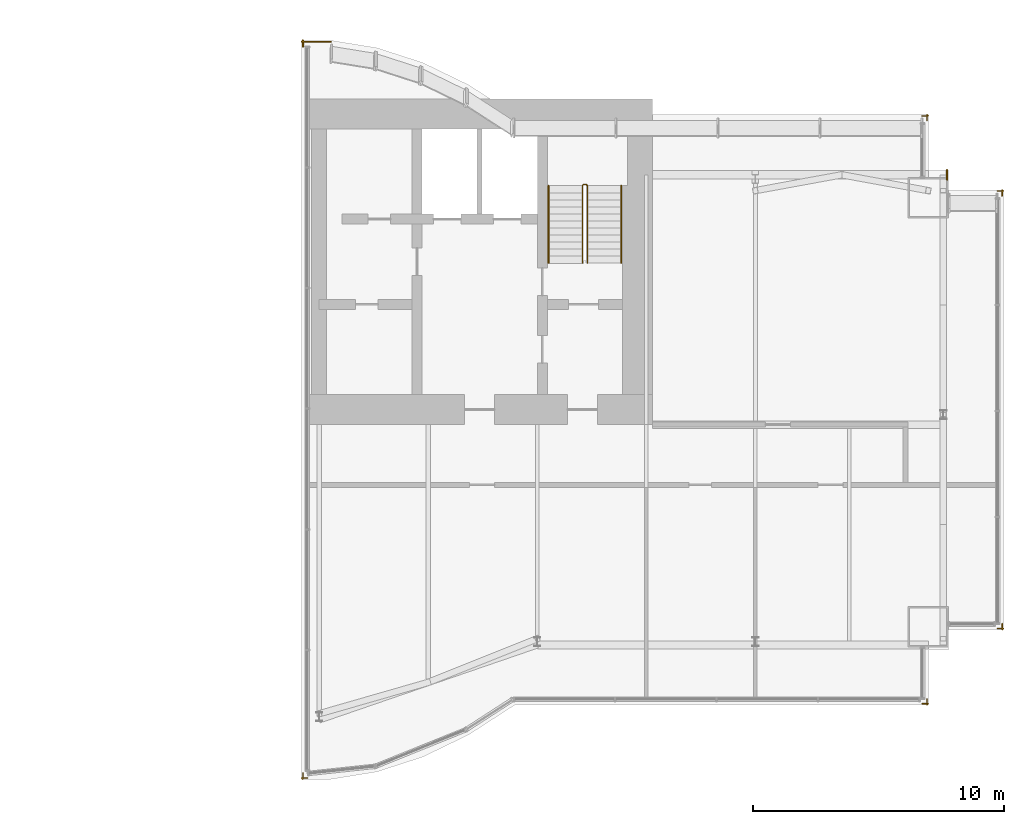
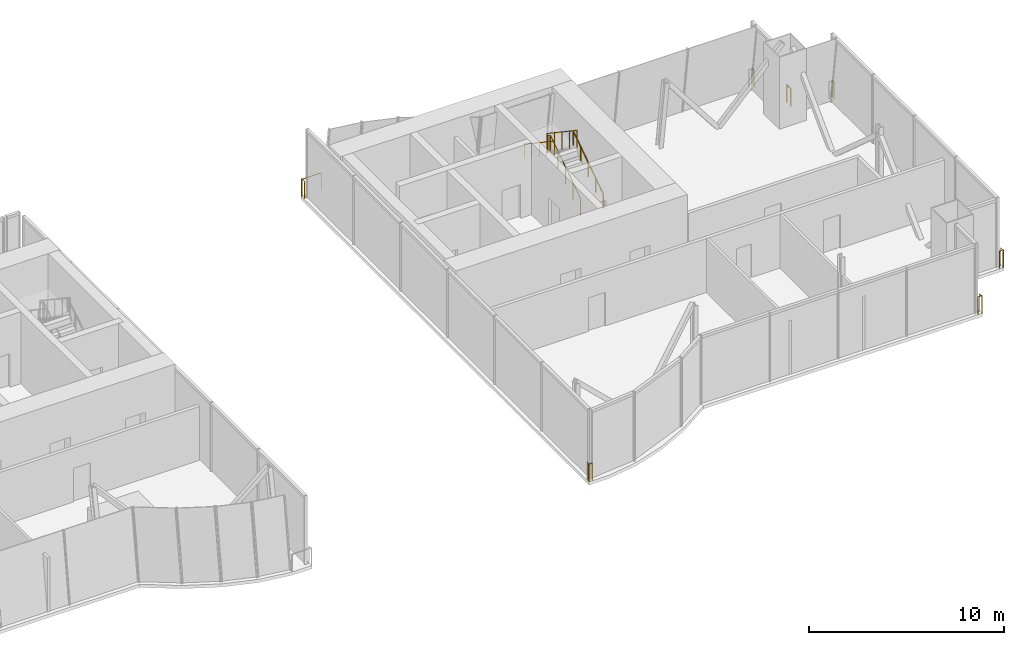
# One storey, part 13 of 14: 10 railings.
"""IFC4 building model written with IfcOpenShell, lengths in metres."""

from ifc_helpers import new_model, si_unit, direction, frame, origin, origin_2d, place, context, subcontext, project, spatial, circle, extrude, material, type_object, element, save


model = new_model("IFC4")

# Units and contexts
model_context = context("Model", 3, precision=1e-05, world=origin(), true_north=direction((0.0, 1.0)))
body_context = subcontext(model_context, "Body", "Model", "MODEL_VIEW")
ifc_project = project(units=[si_unit("LENGTHUNIT", "METRE"), si_unit("AREAUNIT", "SQUARE_METRE"), si_unit("VOLUMEUNIT", "CUBIC_METRE"), si_unit("PLANEANGLEUNIT", "RADIAN"), si_unit("MASSUNIT", "GRAM", prefix="KILO")], contexts=[model_context])

# Site, building, storey
site_placement = place(None, origin())
site = spatial("IfcSite", under=ifc_project, at=site_placement, CompositionType="ELEMENT")
building_placement = place(site_placement, origin())
building = spatial("IfcBuilding", under=site, at=building_placement, Name="Bicima Exchange Tower", CompositionType="ELEMENT")
storey_placement = place(building_placement, frame((0.0, 0.0, 352.39990234375)))
storey = spatial("IfcBuildingStorey", under=building, at=storey_placement, Name="L79", CompositionType="ELEMENT", Elevation=352.39990234375)

# Railings
ifc_material_1 = material(Name="Stainless steel and bonded safety glass", Category="steel")
railing_type_1 = type_object("IfcRailingType", Name="Edge guard 1100", PredefinedType="GUARDRAIL", material=ifc_material_1)
railing_1_placement = place(storey_placement, frame((32.949951171875, -23.944091796875, 0.0)))
element("IfcRailing", 1, at=railing_1_placement, inside=storey, type_object=railing_type_1, Name="Edge guard L79 417", PredefinedType="GUARDRAIL", context=body_context, shape_type="SweptSolid", body=[
    extrude(circle(Radius=0.02392578125, at=origin_2d()), frame((0.0, 0.0, 1.076171875), z_axis=(0.0, -1.0, 0.0), x_axis=(1.0, 0.0, 0.0)), (0.0, 0.0, 1.0), 0.243896484375),
    extrude(circle(Radius=0.02392578125, at=origin_2d()), frame((0.0, -0.243896484375, 1.076171875), z_axis=(0.707106781187, 0.707106781187, 0.0), x_axis=(-0.707106781187, 0.707106781187, 0.0)), (0.0, 0.0, 1.0), 0.07080078125),
    extrude(circle(Radius=0.02392578125, at=origin_2d()), frame((0.050048828125, -0.19384765625, 1.076171875), z_axis=(-1.0, 0.0, 0.0), x_axis=(0.0, -1.0, 0.0)), (0.0, 0.0, 1.0), 0.25),
    extrude(circle(Radius=0.02099609375, at=origin_2d()), origin(), (0.0, 0.0, 1.0), 1.052001953125),
    extrude(circle(Radius=0.02099609375, at=origin_2d()), frame((0.0, -0.243896484375, 0.0)), (0.0, 0.0, 1.0), 1.052001953125),
    extrude(circle(Radius=0.02099609375, at=origin_2d()), frame((0.050048828125, -0.19384765625, 0.0)), (0.0, 0.0, 1.0), 1.052001953125),
    extrude(circle(Radius=0.02099609375, at=origin_2d()), frame((-0.199951171875, -0.19384765625, 0.0)), (0.0, 0.0, 1.0), 1.052001953125),
])
railing_2_placement = place(storey_placement, frame((8.23291015625, -27.10107421875, 0.0)))
element("IfcRailing", 2, at=railing_2_placement, inside=storey, type_object=railing_type_1, Name="Edge guard L79 418", PredefinedType="GUARDRAIL", context=body_context, shape_type="SweptSolid", body=[
    extrude(circle(Radius=0.02392578125, at=origin_2d()), frame((0.0, 0.0, 1.076171875), z_axis=(-1.0, 0.0, 0.0), x_axis=(0.0, -1.0, 0.0)), (0.0, 0.0, 1.0), 0.23291015625),
    extrude(circle(Radius=0.02392578125, at=origin_2d()), frame((-0.23291015625, 0.0, 1.076171875), z_axis=(0.708833529934, -0.705375805398, 0.0), x_axis=(0.705375805398, 0.708833529934, 0.0)), (0.0, 0.0, 1.0), 0.070556640625),
    extrude(circle(Radius=0.02392578125, at=origin_2d()), frame((-0.182861328125, -0.0498046875, 1.076171875), z_axis=(0.0, 1.0, 0.0), x_axis=(-1.0, 0.0, 0.0)), (0.0, 0.0, 1.0), 0.25),
    extrude(circle(Radius=0.02099609375, at=origin_2d()), origin(), (0.0, 0.0, 1.0), 1.052001953125),
    extrude(circle(Radius=0.02099609375, at=origin_2d()), frame((-0.23291015625, 0.0, 0.0)), (0.0, 0.0, 1.0), 1.052001953125),
    extrude(circle(Radius=0.02099609375, at=origin_2d()), frame((-0.182861328125, -0.0498046875, 0.0)), (0.0, 0.0, 1.0), 1.052001953125),
    extrude(circle(Radius=0.02099609375, at=origin_2d()), frame((-0.182861328125, 0.2001953125, 0.0)), (0.0, 0.0, 1.0), 1.052001953125),
])
railing_3_placement = place(storey_placement, frame((8.050048828125, 2.0810546875, 0.0)))
element("IfcRailing", 3, at=railing_3_placement, inside=storey, type_object=railing_type_1, Name="Edge guard L79 419", PredefinedType="GUARDRAIL", context=body_context, shape_type="SweptSolid", body=[
    extrude(circle(Radius=0.02392578125, at=origin_2d()), frame((0.0, 0.0, 1.076171875), z_axis=(0.0, 1.0, 0.0), x_axis=(-1.0, 0.0, 0.0)), (0.0, 0.0, 1.0), 0.25),
    extrude(circle(Radius=0.02392578125, at=origin_2d()), frame((0.0, 0.25, 1.076171875), z_axis=(-0.700242148196, -0.713905409624, 0.0), x_axis=(0.713905409624, -0.700242148196, 0.0)), (0.0, 0.0, 1.0), 0.071533203125),
    extrude(circle(Radius=0.02392578125, at=origin_2d()), frame((-0.050048828125, 0.198974609375, 1.076171875), z_axis=(1.0, 0.0, 0.0), x_axis=(0.0, 1.0, 0.0)), (0.0, 0.0, 1.0), 1.1669921875),
    extrude(circle(Radius=0.02099609375, at=origin_2d()), origin(), (0.0, 0.0, 1.0), 1.052001953125),
    extrude(circle(Radius=0.02099609375, at=origin_2d()), frame((0.0, 0.25, 0.0)), (0.0, 0.0, 1.0), 1.052001953125),
    extrude(circle(Radius=0.02099609375, at=origin_2d()), frame((-0.050048828125, 0.198974609375, 0.0)), (0.0, 0.0, 1.0), 1.052001953125),
    extrude(circle(Radius=0.02099609375, at=origin_2d()), frame((1.116943359375, 0.198974609375, 0.0)), (0.0, 0.0, 1.0), 1.052001953125),
])
railing_4_placement = place(storey_placement, frame((32.75, -0.681884765625, 0.0)))
element("IfcRailing", 4, at=railing_4_placement, inside=storey, type_object=railing_type_1, Name="Edge guard L79 420", PredefinedType="GUARDRAIL", context=body_context, shape_type="SweptSolid", body=[
    extrude(circle(Radius=0.02392578125, at=origin_2d()), frame((0.0, 0.0, 1.076171875), z_axis=(1.0, 0.0, 0.0), x_axis=(0.0, 1.0, 0.0)), (0.0, 0.0, 1.0), 0.25),
    extrude(circle(Radius=0.02392578125, at=origin_2d()), frame((0.25, 0.0, 1.076171875), z_axis=(-0.708833529934, 0.705375805398, 0.0), x_axis=(-0.705375805398, -0.708833529934, 0.0)), (0.0, 0.0, 1.0), 0.070556640625),
    extrude(circle(Radius=0.02392578125, at=origin_2d()), frame((0.199951171875, 0.0498046875, 1.076171875), z_axis=(0.0, -1.0, 0.0), x_axis=(1.0, 0.0, 0.0)), (0.0, 0.0, 1.0), 0.244873046875),
    extrude(circle(Radius=0.02099609375, at=origin_2d()), origin(), (0.0, 0.0, 1.0), 1.052001953125),
    extrude(circle(Radius=0.02099609375, at=origin_2d()), frame((0.25, 0.0, 0.0)), (0.0, 0.0, 1.0), 1.052001953125),
    extrude(circle(Radius=0.02099609375, at=origin_2d()), frame((0.199951171875, 0.0498046875, 0.0)), (0.0, 0.0, 1.0), 1.052001953125),
    extrude(circle(Radius=0.02099609375, at=origin_2d()), frame((0.199951171875, -0.195068359375, 0.0)), (0.0, 0.0, 1.0), 1.052001953125),
])
railing_5_placement = place(storey_placement, frame((33.75, -2.83203125, 0.0)))
element("IfcRailing", 5, at=railing_5_placement, inside=storey, type_object=railing_type_1, Name="Edge guard L79 421", PredefinedType="GUARDRAIL", context=body_context, shape_type="SweptSolid", body=[
    extrude(circle(Radius=0.02392578125, at=origin_2d()), frame((0.0, 0.0, 1.076171875), z_axis=(0.0, -1.0, 0.0), x_axis=(1.0, 0.0, 0.0)), (0.0, 0.0, 1.0), 0.39990234375),
    extrude(circle(Radius=0.02099609375, at=origin_2d()), origin(), (0.0, 0.0, 1.0), 1.052001953125),
    extrude(circle(Radius=0.02099609375, at=origin_2d()), frame((0.0, -0.39990234375, 0.0)), (0.0, 0.0, 1.0), 1.052001953125),
])
railing_6_placement = place(storey_placement, frame((35.756103515625, -3.681884765625, 0.0)))
element("IfcRailing", 6, at=railing_6_placement, inside=storey, type_object=railing_type_1, Name="Edge guard L79 422", PredefinedType="GUARDRAIL", context=body_context, shape_type="SweptSolid", body=[
    extrude(circle(Radius=0.02392578125, at=origin_2d()), frame((0.0, 0.0, 1.076171875), z_axis=(1.0, 0.0, 0.0), x_axis=(0.0, 1.0, 0.0)), (0.0, 0.0, 1.0), 0.243896484375),
    extrude(circle(Radius=0.02392578125, at=origin_2d()), frame((0.243896484375, 0.0, 1.076171875), z_axis=(-0.708833529934, 0.705375805398, 0.0), x_axis=(-0.705375805398, -0.708833529934, 0.0)), (0.0, 0.0, 1.0), 0.070556640625),
    extrude(circle(Radius=0.02392578125, at=origin_2d()), frame((0.19384765625, 0.0498046875, 1.076171875), z_axis=(0.0, -1.0, 0.0), x_axis=(1.0, 0.0, 0.0)), (0.0, 0.0, 1.0), 0.247802734375),
    extrude(circle(Radius=0.02099609375, at=origin_2d()), origin(), (0.0, 0.0, 1.0), 1.052001953125),
    extrude(circle(Radius=0.02099609375, at=origin_2d()), frame((0.243896484375, 0.0, 0.0)), (0.0, 0.0, 1.0), 1.052001953125),
    extrude(circle(Radius=0.02099609375, at=origin_2d()), frame((0.19384765625, 0.0498046875, 0.0)), (0.0, 0.0, 1.0), 1.052001953125),
    extrude(circle(Radius=0.02099609375, at=origin_2d()), frame((0.19384765625, -0.197998046875, 0.0)), (0.0, 0.0, 1.0), 1.052001953125),
])
railing_7_placement = place(storey_placement, frame((35.949951171875, -20.94091796875, 0.0)))
element("IfcRailing", 7, at=railing_7_placement, inside=storey, type_object=railing_type_1, Name="Edge guard L79 423", PredefinedType="GUARDRAIL", context=body_context, shape_type="SweptSolid", body=[
    extrude(circle(Radius=0.02392578125, at=origin_2d()), frame((0.0, 0.0, 1.076171875), z_axis=(0.0, -1.0, 0.0), x_axis=(1.0, 0.0, 0.0)), (0.0, 0.0, 1.0), 0.2470703125),
    extrude(circle(Radius=0.02392578125, at=origin_2d()), frame((0.0, -0.2470703125, 1.076171875), z_axis=(0.707106781187, 0.707106781187, 0.0), x_axis=(-0.707106781187, 0.707106781187, 0.0)), (0.0, 0.0, 1.0), 0.07080078125),
    extrude(circle(Radius=0.02392578125, at=origin_2d()), frame((0.050048828125, -0.197021484375, 1.076171875), z_axis=(-1.0, 0.0, 0.0), x_axis=(0.0, -1.0, 0.0)), (0.0, 0.0, 1.0), 0.243896484375),
    extrude(circle(Radius=0.02099609375, at=origin_2d()), origin(), (0.0, 0.0, 1.0), 1.052001953125),
    extrude(circle(Radius=0.02099609375, at=origin_2d()), frame((0.0, -0.2470703125, 0.0)), (0.0, 0.0, 1.0), 1.052001953125),
    extrude(circle(Radius=0.02099609375, at=origin_2d()), frame((0.050048828125, -0.197021484375, 0.0)), (0.0, 0.0, 1.0), 1.052001953125),
    extrude(circle(Radius=0.02099609375, at=origin_2d()), frame((-0.19384765625, -0.197021484375, 0.0)), (0.0, 0.0, 1.0), 1.052001953125),
])
ifc_material_2 = material(Name="Stainless steel", Category="steel")
railing_type_2 = type_object("IfcRailingType", Name="Stair guard 1100", PredefinedType="GUARDRAIL", material=ifc_material_2)
railing_8_placement = place(storey_placement, frame((19.39990234375, -6.550048828125, 0.1875)))
element("IfcRailing", 8, at=railing_8_placement, inside=storey, type_object=railing_type_2, Name="L79 ST-E stair guard 1", PredefinedType="GUARDRAIL", context=body_context, shape_type="SweptSolid", body=[
    extrude(circle(Radius=0.02392578125, at=origin_2d()), frame((0.0, 0.0, 1.076171875), z_axis=(0.0, 0.830913701846, 0.55640131208), x_axis=(-1.0, 0.0, 0.0)), (0.0, 0.0, 1.0), 3.706787109375),
    extrude(circle(Radius=0.02392578125, at=origin_2d()), frame((0.0, 3.080078125, 3.138671875), z_axis=(-0.705375805398, 0.708833529934, 0.0), x_axis=(-0.708833529934, -0.705375805398, 0.0)), (0.0, 0.0, 1.0), 0.070556640625),
    extrude(circle(Radius=0.02392578125, at=origin_2d()), frame((-0.0498046875, 3.130126953125, 3.138671875), z_axis=(-1.0, 0.0, 0.0), x_axis=(0.0, -1.0, 0.0)), (0.0, 0.0, 1.0), 0.10009765625),
    extrude(circle(Radius=0.02392578125, at=origin_2d()), frame((-0.14990234375, 3.130126953125, 3.138671875), z_axis=(-0.249726431254, -0.249726431254, 0.935560483917), x_axis=(0.707106781187, -0.707106781187, 0.0)), (0.0, 0.0, 1.0), 0.200439453125),
    extrude(circle(Radius=0.02392578125, at=origin_2d()), frame((-0.199951171875, 3.080078125, 3.326171875), z_axis=(0.0, -0.830913701846, 0.55640131208), x_axis=(1.0, 0.0, 0.0)), (0.0, 0.0, 1.0), 3.706787109375),
    extrude(circle(Radius=0.02099609375, at=origin_2d()), origin(), (0.0, 0.0, 1.0), 1.052001953125),
    extrude(circle(Radius=0.02099609375, at=origin_2d()), frame((0.0, 0.77001953125, 0.515625)), (0.0, 0.0, 1.0), 1.052001953125),
    extrude(circle(Radius=0.02099609375, at=origin_2d()), frame((0.0, 1.5400390625, 1.03125)), (0.0, 0.0, 1.0), 1.052001953125),
    extrude(circle(Radius=0.02099609375, at=origin_2d()), frame((0.0, 2.31005859375, 1.546875)), (0.0, 0.0, 1.0), 1.052001953125),
    extrude(circle(Radius=0.02099609375, at=origin_2d()), frame((0.0, 3.080078125, 2.0625)), (0.0, 0.0, 1.0), 1.052001953125),
    extrude(circle(Radius=0.02099609375, at=origin_2d()), frame((-0.0498046875, 3.130126953125, 2.0625)), (0.0, 0.0, 1.0), 1.052001953125),
    extrude(circle(Radius=0.02099609375, at=origin_2d()), frame((-0.14990234375, 3.130126953125, 2.0625)), (0.0, 0.0, 1.0), 1.052001953125),
    extrude(circle(Radius=0.02099609375, at=origin_2d()), frame((-0.199951171875, 3.080078125, 2.25)), (0.0, 0.0, 1.0), 1.052001953125),
    extrude(circle(Radius=0.02099609375, at=origin_2d()), frame((-0.199951171875, 2.31005859375, 2.765625)), (0.0, 0.0, 1.0), 1.052001953125),
    extrude(circle(Radius=0.02099609375, at=origin_2d()), frame((-0.199951171875, 1.5400390625, 3.28125)), (0.0, 0.0, 1.0), 1.052001953125),
    extrude(circle(Radius=0.02099609375, at=origin_2d()), frame((-0.199951171875, 0.77001953125, 3.796875)), (0.0, 0.0, 1.0), 1.052001953125),
    extrude(circle(Radius=0.02099609375, at=origin_2d()), frame((-0.199951171875, 0.0, 4.3125)), (0.0, 0.0, 1.0), 1.052001953125),
])
railing_type_3 = type_object("IfcRailingType", Name="Stair handrail 900", PredefinedType="HANDRAIL", material=ifc_material_2)
railing_9_placement = place(storey_placement, frame((20.75, -6.550048828125, 0.1875)))
element("IfcRailing", 9, at=railing_9_placement, inside=storey, type_object=railing_type_3, Name="L79 ST-E stair handrail 1", PredefinedType="HANDRAIL", context=body_context, shape_type="SweptSolid", body=[
    extrude(circle(Radius=0.02392578125, at=origin_2d()), frame((0.0, 0.0, 0.8759765625), z_axis=(0.0, 0.830913701846, 0.55640131208), x_axis=(-1.0, 0.0, 0.0)), (0.0, 0.0, 1.0), 3.706787109375),
    extrude(circle(Radius=0.02099609375, at=origin_2d()), origin(), (0.0, 0.0, 1.0), 0.851806640625),
    extrude(circle(Radius=0.02099609375, at=origin_2d()), frame((0.0, 0.77001953125, 0.515625)), (0.0, 0.0, 1.0), 0.851806640625),
    extrude(circle(Radius=0.02099609375, at=origin_2d()), frame((0.0, 1.5400390625, 1.03125)), (0.0, 0.0, 1.0), 0.851806640625),
    extrude(circle(Radius=0.02099609375, at=origin_2d()), frame((0.0, 2.31005859375, 1.546875)), (0.0, 0.0, 1.0), 0.851806640625),
    extrude(circle(Radius=0.02099609375, at=origin_2d()), frame((0.0, 3.080078125, 2.0625)), (0.0, 0.0, 1.0), 0.851806640625),
])
railing_10_placement = place(storey_placement, frame((17.85009765625, -3.469970703125, 2.4375)))
element("IfcRailing", 10, at=railing_10_placement, inside=storey, type_object=railing_type_3, Name="L79 ST-E stair handrail 2", PredefinedType="HANDRAIL", context=body_context, shape_type="SweptSolid", body=[
    extrude(circle(Radius=0.02392578125, at=origin_2d()), frame((0.0, 0.0, 0.8759765625), z_axis=(0.0, -0.830913701846, 0.55640131208), x_axis=(1.0, 0.0, 0.0)), (0.0, 0.0, 1.0), 3.706787109375),
    extrude(circle(Radius=0.02099609375, at=origin_2d()), origin(), (0.0, 0.0, 1.0), 0.851806640625),
    extrude(circle(Radius=0.02099609375, at=origin_2d()), frame((0.0, -0.77001953125, 0.515625)), (0.0, 0.0, 1.0), 0.851806640625),
    extrude(circle(Radius=0.02099609375, at=origin_2d()), frame((0.0, -1.5400390625, 1.03125)), (0.0, 0.0, 1.0), 0.851806640625),
    extrude(circle(Radius=0.02099609375, at=origin_2d()), frame((0.0, -2.31005859375, 1.546875)), (0.0, 0.0, 1.0), 0.851806640625),
    extrude(circle(Radius=0.02099609375, at=origin_2d()), frame((0.0, -3.080078125, 2.0625)), (0.0, 0.0, 1.0), 0.851806640625),
])

save(model, "model.ifc")
